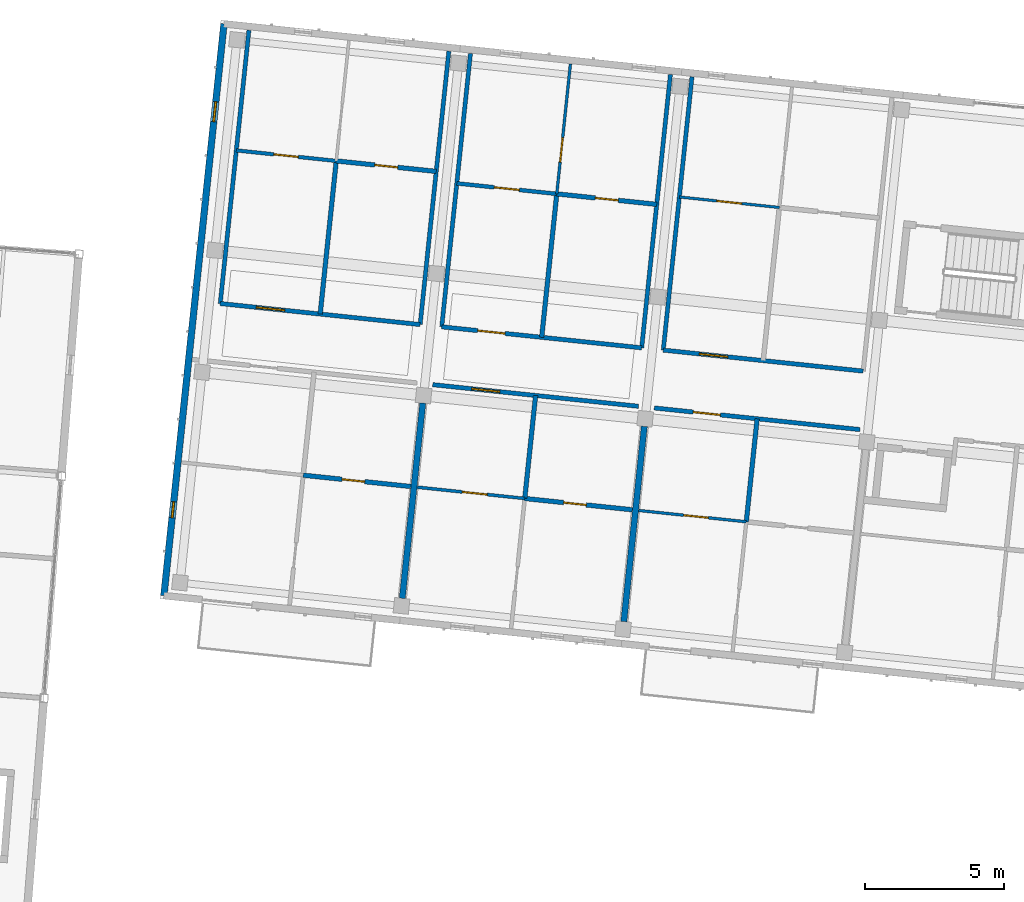
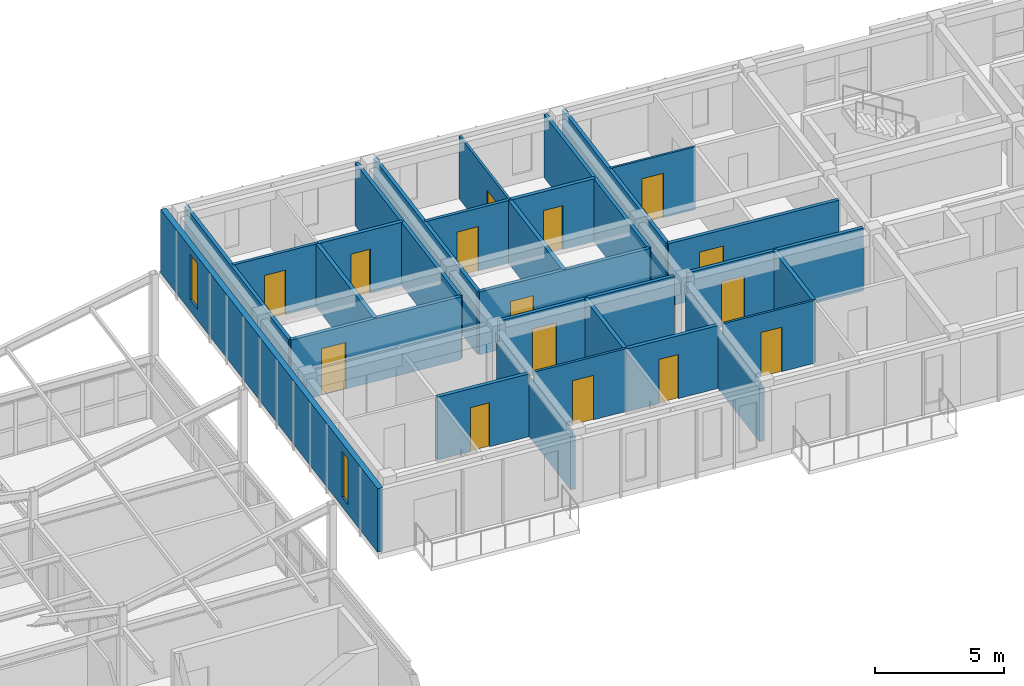
# One storey, part 86 of 127: 27 walls, 15 doors, 2 windows, 17 openings.
"""IFC4 building model written with IfcOpenShell, lengths in metres."""

import ifcopenshell
import ifcopenshell.guid

model = None  # the IFC model being written
_history = None  # IfcOwnerHistory: only IFC2X3 demands one
_inside = {}  # id of a spatial element -> (the spatial element, [elements in it])
_under = {}  # id of a project, library or spatial element -> (it, [spatial elements below it])
_declared = {}  # id of a project -> (the project, [libraries it declares])
_typed = {}  # id of a type object -> (the type object, [elements of that type])
_made_of = {}  # id of a material, layer set ... -> (it, [elements and type objects made of it])


def new_model(schema):
    """Start an empty IFC model of exactly this schema.

    Asked for "IFC4X3", IfcOpenShell would pick the latest addendum, in which some entities
    have other attributes; the version numbers below select the first issue.
    IFC2X3 requires an IfcOwnerHistory on every rooted entity: one is made here for all.
    """
    global model, _history
    if schema == "IFC4X3":
        model = ifcopenshell.file(schema_version=(4, 3, 0, 0))
    else:
        model = ifcopenshell.file(schema=schema)
    _inside.clear()
    _under.clear()
    _declared.clear()
    _typed.clear()
    _made_of.clear()
    _history = None
    if model.schema == "IFC2X3":
        org = make("IfcOrganization", Name="unknown")
        user = make(
            "IfcPersonAndOrganization",
            ThePerson=make("IfcPerson", FamilyName="unknown"),
            TheOrganization=org,
        )
        app = make(
            "IfcApplication",
            ApplicationDeveloper=org,
            Version="unknown",
            ApplicationFullName="unknown",
            ApplicationIdentifier="unknown",
        )
        _history = make(
            "IfcOwnerHistory",
            OwningUser=user,
            OwningApplication=app,
            ChangeAction="ADDED",
            CreationDate=0,
        )
    return model


def make(cls, **values):
    """One entity of the class cls with the attributes given. An attribute that is None is left unset."""
    return model.create_entity(
        cls, **{name: value for name, value in values.items() if value is not None}
    )


def rooted(cls, **values):
    """An entity with a GlobalId (a new one), such as an element, a storey or a relation."""
    return make(cls, GlobalId=ifcopenshell.guid.new(), OwnerHistory=_history, **values)


def si_unit(unit_type, name, prefix=None):
    """IfcSIUnit, for example si_unit("LENGTHUNIT", "METRE", prefix="MILLI")."""
    return make("IfcSIUnit", UnitType=unit_type, Prefix=prefix, Name=name)


def assignment(units):
    """IfcUnitAssignment: the units of a project."""
    return None if units is None else make("IfcUnitAssignment", Units=units)


def point(xyz):
    """IfcCartesianPoint."""
    return None if xyz is None else make("IfcCartesianPoint", Coordinates=xyz)


def direction(xyz):
    """IfcDirection."""
    return None if xyz is None else make("IfcDirection", DirectionRatios=xyz)


def frame(location, z_axis=None, x_axis=None):
    """IfcAxis2Placement3D, a coordinate frame: its origin and axes. An axis left out is left unset."""
    return make(
        "IfcAxis2Placement3D",
        Location=point(location),
        Axis=direction(z_axis),
        RefDirection=direction(x_axis),
    )


def frame_2d(location, x_axis=None):
    """IfcAxis2Placement2D, a coordinate frame in the plane: its origin and x axis."""
    return make(
        "IfcAxis2Placement2D", Location=point(location), RefDirection=direction(x_axis)
    )


def origin():
    """The frame at (0, 0, 0) with its axes left unset."""
    return frame((0.0, 0.0, 0.0))


def place(relative_to, where):
    """IfcLocalPlacement: puts the frame where relative to a parent placement (None: the world)."""
    return make(
        "IfcLocalPlacement", PlacementRelTo=relative_to, RelativePlacement=where
    )


def context(
    kind, dimensions, precision=None, world=None, true_north=None, identifier=None
):
    """IfcGeometricRepresentationContext, for example the 3D "Model" context."""
    return make(
        "IfcGeometricRepresentationContext",
        ContextIdentifier=identifier,
        ContextType=kind,
        CoordinateSpaceDimension=dimensions,
        Precision=precision,
        WorldCoordinateSystem=world,
        TrueNorth=true_north,
    )


def subcontext(parent, identifier, kind, view, scale=None):
    """IfcGeometricRepresentationSubContext, for example "Body" below "Model"."""
    return make(
        "IfcGeometricRepresentationSubContext",
        ContextIdentifier=identifier,
        ContextType=kind,
        ParentContext=parent,
        TargetScale=scale,
        TargetView=view,
    )


def project(units=None, contexts=None):
    """IfcProject with its units and contexts."""
    return rooted(
        "IfcProject",
        Name="project",
        RepresentationContexts=contexts,
        UnitsInContext=assignment(units),
    )


def spatial(cls, under=None, at=None, **own):
    """A site, building, storey or space (cls), placed at a placement, below another one or the project."""
    s = rooted(cls, ObjectPlacement=at, **own)
    if under is not None:
        _under.setdefault(under.id(), (under, []))[1].append(s)
    return s


def profile(cls, at=None, kind="AREA", **sizes):
    """A parametric profile (cls). Its sizes go by their IFC names, for example OverallWidth=200.0."""
    return make(cls, ProfileType=kind, Position=at, **sizes)


def rectangle(**sizes):
    """IfcRectangleProfileDef."""
    return profile("IfcRectangleProfileDef", **sizes)


def extrude(swept, where, along, depth):
    """IfcExtrudedAreaSolid: the profile swept, set in the frame where, extruded along a direction by depth."""
    return make(
        "IfcExtrudedAreaSolid",
        SweptArea=swept,
        Position=where,
        ExtrudedDirection=direction(along),
        Depth=depth,
    )


def shape(context_of_items, identifier, shape_type, items):
    """IfcShapeRepresentation: the items that make up one representation, for example the "Body"."""
    return make(
        "IfcShapeRepresentation",
        ContextOfItems=context_of_items,
        RepresentationIdentifier=identifier,
        RepresentationType=shape_type,
        Items=items,
    )


def material(Name=None, Category=None):
    """IfcMaterial."""
    return make("IfcMaterial", Name=Name, Category=Category)


def layer(
    of_material, thickness, ventilated=None, Name=None, Category=None, Priority=None
):
    """IfcMaterialLayer: one layer of a wall or slab, of a material (None: an air gap)."""
    return make(
        "IfcMaterialLayer",
        Material=of_material,
        LayerThickness=thickness,
        IsVentilated=ventilated,
        Name=Name,
        Category=Category,
        Priority=Priority,
    )


def layer_set(layers, Name=None):
    """IfcMaterialLayerSet."""
    return make("IfcMaterialLayerSet", MaterialLayers=layers, LayerSetName=Name)


def made_of(thing, what):
    """Note that an element or type object is made of a material, layer set ...; save() writes the relation."""
    if what is not None:
        _made_of.setdefault(what.id(), (what, []))[1].append(thing)
    return thing


def type_object(cls, material=None, **own):
    """A type object (cls), such as IfcWallType, which elements share."""
    return made_of(rooted(cls, **own), material)


def element(
    cls,
    number,
    at=None,
    inside=None,
    cuts=None,
    type_object=None,
    material=None,
    context=None,
    identifier="Body",
    shape_type=None,
    held_by="IfcProductDefinitionShape",
    body=None,
    shapes=None,
    **own,
):
    """One element of the class cls, such as IfcWall. Its Tag is "e" and its number.

    at: its placement. inside: the storey or other place that contains it. cuts: it is an
    opening in that element (IfcRelVoidsElement). A single representation is given by context,
    identifier, shape_type and body (its items); several are given by shapes. held_by: the class
    of the entity that holds the representations. save() writes the other relations.
    """
    e = rooted(cls, Tag="e%d" % number, ObjectPlacement=at, **own)
    if body is not None:
        shapes = [shape(context, identifier, shape_type, body)]
    if shapes is not None:
        e.Representation = make(held_by, Representations=shapes)
    if inside is not None:
        _inside.setdefault(inside.id(), (inside, []))[1].append(e)
    if cuts is not None:
        rooted(
            "IfcRelVoidsElement", RelatingBuildingElement=cuts, RelatedOpeningElement=e
        )
    if type_object is not None:
        _typed.setdefault(type_object.id(), (type_object, []))[1].append(e)
    return made_of(e, material)


def fill(opening, filler):
    """IfcRelFillsElement: the door or window that sits in an opening."""
    return rooted(
        "IfcRelFillsElement",
        RelatingOpeningElement=opening,
        RelatedBuildingElement=filler,
    )


def aggregate(whole, parts):
    """IfcRelAggregates: a whole, such as a stair, and the parts it consists of."""
    return rooted("IfcRelAggregates", RelatingObject=whole, RelatedObjects=parts)


def save(model, path):
    """Write the relations noted so far, then the file.

    IfcRelAggregates (storeys below a building ...), IfcRelContainedInSpatialStructure (elements
    in a storey), IfcRelDefinesByType, IfcRelAssociatesMaterial and IfcRelDeclares: one each for
    every whole, place, type object, material and project.
    """
    for whole, parts in _under.values():
        aggregate(whole, parts)
    for where, things in _inside.values():
        rooted(
            "IfcRelContainedInSpatialStructure",
            RelatedElements=things,
            RelatingStructure=where,
        )
    for kind, things in _typed.values():
        rooted("IfcRelDefinesByType", RelatedObjects=things, RelatingType=kind)
    for what, things in _made_of.values():
        rooted("IfcRelAssociatesMaterial", RelatedObjects=things, RelatingMaterial=what)
    for by, libraries in _declared.values():
        rooted("IfcRelDeclares", RelatingContext=by, RelatedDefinitions=libraries)
    model.write(path)


model = new_model("IFC4")

# Units and contexts
model_context = context("Model", 3, precision=1e-05, world=origin(), true_north=direction((0.0, 1.0)))
body_context = subcontext(model_context, "Body", "Model", "MODEL_VIEW")
ifc_project = project(units=[si_unit("LENGTHUNIT", "METRE"), si_unit("AREAUNIT", "SQUARE_METRE"), si_unit("VOLUMEUNIT", "CUBIC_METRE"), si_unit("PLANEANGLEUNIT", "RADIAN"), si_unit("MASSUNIT", "GRAM", prefix="KILO")], contexts=[model_context])

# Site, building, storey
site_placement = place(None, origin())
site = spatial("IfcSite", under=ifc_project, at=site_placement, CompositionType="ELEMENT")
building_placement = place(site_placement, origin())
building = spatial("IfcBuilding", under=site, at=building_placement, Name="Kestramere Prow Commons", CompositionType="ELEMENT")
storey_placement = place(building_placement, frame((0.0, 0.0, 8.39990234375)))
storey = spatial("IfcBuildingStorey", under=building, at=storey_placement, Name="L02", CompositionType="ELEMENT", Elevation=8.39990234375)

# Wall, openings, windows
ifc_material_1 = material(Name="Fluoropolymer Standing-Seam Zinc-Aluminium Cladding", Category="aluminium")
ifc_layer_1 = layer(ifc_material_1, 0.239990234375)
ifc_layer_set_1 = layer_set([ifc_layer_1], Name="Fluoropolymer Standing-Seam Zinc-Aluminium Cladding")
wall_type_1 = type_object("IfcWallType", Name="EW-SEAM-240", PredefinedType="SOLIDWALL", material=ifc_layer_set_1)
wall_1_placement = place(storey_placement, frame((109.423095703125, 94.332763671875, 0.0), z_axis=(0.0, 0.0, 1.0), x_axis=(0.1045253859, 0.994522218808, 0.0)))
wall_1 = element("IfcWall", 1, at=wall_1_placement, inside=storey, type_object=wall_type_1, Name="Block B L02 EAV Facet Wall", PredefinedType="SOLIDWALL", context=body_context, shape_type="SweptSolid", body=[
    extrude(rectangle(XDim=20.64990234375, YDim=0.239990234375, at=frame_2d((10.324951171875, 0.0))), origin(), (0.0, 0.0, 1.0), 3.0),
])
opening_1_placement = place(wall_1_placement, frame((2.81005859375, 0.0, 0.449951171875)))
opening_1 = element("IfcOpeningElement", 2, at=opening_1_placement, cuts=wall_1, Name="Opening WN-01", PredefinedType="OPENING", context=body_context, shape_type="SweptSolid", body=[
    extrude(rectangle(XDim=0.580078125, YDim=2.159912109375, at=frame_2d((0.2900390625, 1.080078125))), frame((0.0, 0.135009765625, 0.0), z_axis=(0.0, -1.0, 0.0), x_axis=(1.0, 0.0, 0.0)), (0.0, 0.0, 1.0), 0.27001953125),
])
opening_2_placement = place(wall_1_placement, frame((17.1201171875, 0.0, 0.52001953125)))
opening_2 = element("IfcOpeningElement", 3, at=opening_2_placement, cuts=wall_1, Name="Opening WN-08", PredefinedType="OPENING", context=body_context, shape_type="SweptSolid", body=[
    extrude(rectangle(XDim=0.719970703125, YDim=2.159912109375, at=frame_2d((0.35986328125, 1.080078125))), frame((0.0, 0.135009765625, 0.0), z_axis=(0.0, -1.0, 0.0), x_axis=(1.0, 0.0, 0.0)), (0.0, 0.0, 1.0), 0.27001953125),
])
ifc_material_2 = material(Name="Low-E Laminated Double Glazing", Category="glass")
window_type_1 = type_object("IfcWindowType", Name="WN-NAR-580A", PartitioningType="SINGLE_PANEL", PredefinedType="WINDOW", material=ifc_material_2)
window_1_placement = place(opening_1_placement, origin())
window_1 = element("IfcWindow", 4, at=window_1_placement, inside=storey, type_object=window_type_1, Name="WN-B-L02-EAV-0", OverallHeight=2.159912109375, OverallWidth=0.580078125, PartitioningType="SINGLE_PANEL", PredefinedType="WINDOW", context=body_context, shape_type="SweptSolid", body=[
    extrude(rectangle(XDim=0.580078125, YDim=2.159912109375, at=frame_2d((0.2900390625, 1.080078125))), frame((0.0, 0.030029296875, 0.0), z_axis=(0.0, -1.0, 0.0), x_axis=(1.0, 0.0, 0.0)), (0.0, 0.0, 1.0), 0.06005859375),
])
fill(opening_1, window_1)
window_type_2 = type_object("IfcWindowType", Name="WN-NAR-720A", PartitioningType="SINGLE_PANEL", PredefinedType="WINDOW", material=ifc_material_2)
window_2_placement = place(opening_2_placement, origin())
window_2 = element("IfcWindow", 5, at=window_2_placement, inside=storey, type_object=window_type_2, Name="WN-B-L02-EAV-1", OverallHeight=2.159912109375, OverallWidth=0.719970703125, PartitioningType="SINGLE_PANEL", PredefinedType="WINDOW", context=body_context, shape_type="SweptSolid", body=[
    extrude(rectangle(XDim=0.719970703125, YDim=2.159912109375, at=frame_2d((0.35986328125, 1.080078125))), frame((0.0, 0.030029296875, 0.0), z_axis=(0.0, -1.0, 0.0), x_axis=(1.0, 0.0, 0.0)), (0.0, 0.0, 1.0), 0.06005859375),
])
fill(opening_2, window_2)

# Wall, opening, door
ifc_material_3 = material(Name="Fire-Rated Calcium Silicate Wall")
ifc_layer_2 = layer(ifc_material_3, 0.155029296875)
ifc_layer_set_2 = layer_set([ifc_layer_2], Name="Fire-Rated Calcium Silicate Wall")
wall_type_2 = type_object("IfcWallType", Name="W-FIRE-150", PredefinedType="PARTITIONING", material=ifc_layer_set_2)
wall_2_placement = place(storey_placement, frame((119.077880859375, 101.91015625, 0.0), z_axis=(0.0, 0.0, 1.0), x_axis=(0.99451912784, -0.104554791185, 0.0)))
wall_2 = element("IfcWall", 6, at=wall_2_placement, inside=storey, type_object=wall_type_2, Name="Interior Partition PW-B-L02-CS-1", PredefinedType="PARTITIONING", context=body_context, shape_type="SweptSolid", body=[
    extrude(rectangle(XDim=7.43017578125, YDim=0.155029296875, at=frame_2d((3.715087890625, 0.0))), origin(), (0.0, 0.0, 1.0), 2.97021484375),
])
opening_3_placement = place(wall_2_placement, frame((1.405029296875, 0.0, 0.0)))
opening_3 = element("IfcOpeningElement", 7, at=opening_3_placement, cuts=wall_2, Name="Opening ID-05", PredefinedType="OPENING", context=body_context, shape_type="SweptSolid", body=[
    extrude(rectangle(XDim=1.02001953125, YDim=2.199951171875, at=frame_2d((0.510009765625, 1.10009765625))), frame((0.0, 0.092529296875, 0.0), z_axis=(0.0, -1.0, 0.0), x_axis=(1.0, 0.0, 0.0)), (0.0, 0.0, 1.0), 0.18505859375),
])
ifc_material_4 = material(Name="Hardwood Fire-Rated Flat Entrance Door", Category="wood")
door_type_1 = type_object("IfcDoorType", Name="FD-ENT-02", OperationType="NOTDEFINED", PredefinedType="DOOR", material=ifc_material_4)
door_1_placement = place(opening_3_placement, origin())
door_1 = element("IfcDoor", 8, at=door_1_placement, inside=storey, type_object=door_type_1, Name="Interior Door DR-B-L02-ENT-S1", OperationType="SINGLE_SWING_RIGHT", OverallHeight=2.199951171875, OverallWidth=1.02001953125, PredefinedType="DOOR", context=body_context, shape_type="SweptSolid", body=[
    extrude(rectangle(XDim=1.02001953125, YDim=2.199951171875, at=frame_2d((0.510009765625, 1.10009765625))), frame((0.0, 0.02490234375, 0.0), z_axis=(0.0, -1.0, 0.0), x_axis=(1.0, 0.0, 0.0)), (0.0, 0.0, 1.0), 0.050048828125),
])
fill(opening_3, door_1)

wall_3_placement = place(storey_placement, frame((127.0341796875, 101.07373046875, 0.0), z_axis=(0.0, 0.0, 1.0), x_axis=(0.994522184982, -0.104525707739, 0.0)))
wall_3 = element("IfcWall", 9, at=wall_3_placement, inside=storey, type_object=wall_type_2, Name="Interior Partition PW-B-L02-CS-2", PredefinedType="PARTITIONING", context=body_context, shape_type="SweptSolid", body=[
    extrude(rectangle(XDim=7.429931640625, YDim=0.155029296875, at=frame_2d((3.71484375, 0.0))), origin(), (0.0, 0.0, 1.0), 2.97021484375),
])
opening_4_placement = place(wall_3_placement, frame((1.405029296875, 0.0, 0.0)))
opening_4 = element("IfcOpeningElement", 10, at=opening_4_placement, cuts=wall_3, Name="Opening ID-04", PredefinedType="OPENING", context=body_context, shape_type="SweptSolid", body=[
    extrude(rectangle(XDim=0.97998046875, YDim=2.14990234375, at=frame_2d((0.489990234375, 1.074951171875))), frame((0.0, 0.092529296875, 0.0), z_axis=(0.0, -1.0, 0.0), x_axis=(1.0, 0.0, 0.0)), (0.0, 0.0, 1.0), 0.18505859375),
])
door_type_2 = type_object("IfcDoorType", Name="FD-ENT-01", OperationType="NOTDEFINED", PredefinedType="DOOR", material=ifc_material_4)
door_2_placement = place(opening_4_placement, origin())
door_2 = element("IfcDoor", 11, at=door_2_placement, inside=storey, type_object=door_type_2, Name="Interior Door DR-B-L02-ENT-S2", OperationType="SINGLE_SWING_LEFT", OverallHeight=2.14990234375, OverallWidth=0.97998046875, PredefinedType="DOOR", context=body_context, shape_type="SweptSolid", body=[
    extrude(rectangle(XDim=0.97998046875, YDim=2.14990234375, at=frame_2d((0.489990234375, 1.074951171875))), frame((0.0, 0.02490234375, 0.0), z_axis=(0.0, -1.0, 0.0), x_axis=(1.0, 0.0, 0.0)), (0.0, 0.0, 1.0), 0.050048828125),
])
fill(opening_4, door_2)

wall_4_placement = place(storey_placement, frame((111.44580078125, 104.82373046875, 0.0), z_axis=(0.0, 0.0, 1.0), x_axis=(0.994522671024, -0.104521083137, 0.0)))
wall_4 = element("IfcWall", 12, at=wall_4_placement, inside=storey, type_object=wall_type_2, Name="Interior Partition PW-B-L02-CN-0", PredefinedType="PARTITIONING", context=body_context, shape_type="SweptSolid", body=[
    extrude(rectangle(XDim=7.219970703125, YDim=0.155029296875, at=frame_2d((3.60986328125, 0.0))), origin(), (0.0, 0.0, 1.0), 2.97021484375),
])
opening_5_placement = place(wall_4_placement, frame((1.304931640625, 0.0, 0.0)))
opening_5 = element("IfcOpeningElement", 13, at=opening_5_placement, cuts=wall_4, Name="Opening ID-05", PredefinedType="OPENING", context=body_context, shape_type="SweptSolid", body=[
    extrude(rectangle(XDim=1.02001953125, YDim=2.199951171875, at=frame_2d((0.510009765625, 1.10009765625))), frame((0.0, 0.092529296875, 0.0), z_axis=(0.0, -1.0, 0.0), x_axis=(1.0, 0.0, 0.0)), (0.0, 0.0, 1.0), 0.18505859375),
])
door_3_placement = place(opening_5_placement, origin())
door_3 = element("IfcDoor", 14, at=door_3_placement, inside=storey, type_object=door_type_1, Name="Interior Door DR-B-L02-ENT-N0", OperationType="SINGLE_SWING_RIGHT", OverallHeight=2.199951171875, OverallWidth=1.02001953125, PredefinedType="DOOR", context=body_context, shape_type="SweptSolid", body=[
    extrude(rectangle(XDim=1.02001953125, YDim=2.199951171875, at=frame_2d((0.510009765625, 1.10009765625))), frame((0.0, 0.02490234375, 0.0), z_axis=(0.0, -1.0, 0.0), x_axis=(1.0, 0.0, 0.0)), (0.0, 0.0, 1.0), 0.050048828125),
])
fill(opening_5, door_3)

wall_5_placement = place(storey_placement, frame((119.40185546875, 103.987548828125, 0.0), z_axis=(0.0, 0.0, 1.0), x_axis=(0.994522671024, -0.104521083137, 0.0)))
wall_5 = element("IfcWall", 15, at=wall_5_placement, inside=storey, type_object=wall_type_2, Name="Interior Partition PW-B-L02-CN-1", PredefinedType="PARTITIONING", context=body_context, shape_type="SweptSolid", body=[
    extrude(rectangle(XDim=7.219970703125, YDim=0.155029296875, at=frame_2d((3.60986328125, 0.0))), origin(), (0.0, 0.0, 1.0), 2.97021484375),
])
opening_6_placement = place(wall_5_placement, frame((1.304931640625, 0.0, 0.0)))
opening_6 = element("IfcOpeningElement", 16, at=opening_6_placement, cuts=wall_5, Name="Opening ID-04", PredefinedType="OPENING", context=body_context, shape_type="SweptSolid", body=[
    extrude(rectangle(XDim=0.97998046875, YDim=2.14990234375, at=frame_2d((0.489990234375, 1.074951171875))), frame((0.0, 0.092529296875, 0.0), z_axis=(0.0, -1.0, 0.0), x_axis=(1.0, 0.0, 0.0)), (0.0, 0.0, 1.0), 0.18505859375),
])
door_4_placement = place(opening_6_placement, origin())
door_4 = element("IfcDoor", 17, at=door_4_placement, inside=storey, type_object=door_type_2, Name="Interior Door DR-B-L02-ENT-N1", OperationType="SINGLE_SWING_LEFT", OverallHeight=2.14990234375, OverallWidth=0.97998046875, PredefinedType="DOOR", context=body_context, shape_type="SweptSolid", body=[
    extrude(rectangle(XDim=0.97998046875, YDim=2.14990234375, at=frame_2d((0.489990234375, 1.074951171875))), frame((0.0, 0.02490234375, 0.0), z_axis=(0.0, -1.0, 0.0), x_axis=(1.0, 0.0, 0.0)), (0.0, 0.0, 1.0), 0.050048828125),
])
fill(opening_6, door_4)

wall_6_placement = place(storey_placement, frame((127.358154296875, 103.1513671875, 0.0), z_axis=(0.0, 0.0, 1.0), x_axis=(0.994522671024, -0.104521083137, 0.0)))
wall_6 = element("IfcWall", 18, at=wall_6_placement, inside=storey, type_object=wall_type_2, Name="Interior Partition PW-B-L02-CN-2", PredefinedType="PARTITIONING", context=body_context, shape_type="SweptSolid", body=[
    extrude(rectangle(XDim=7.219970703125, YDim=0.155029296875, at=frame_2d((3.60986328125, 0.0))), origin(), (0.0, 0.0, 1.0), 2.97021484375),
])
opening_7_placement = place(wall_6_placement, frame((1.304931640625, 0.0, 0.0)))
opening_7 = element("IfcOpeningElement", 19, at=opening_7_placement, cuts=wall_6, Name="Opening ID-05", PredefinedType="OPENING", context=body_context, shape_type="SweptSolid", body=[
    extrude(rectangle(XDim=1.02001953125, YDim=2.199951171875, at=frame_2d((0.510009765625, 1.10009765625))), frame((0.0, 0.092529296875, 0.0), z_axis=(0.0, -1.0, 0.0), x_axis=(1.0, 0.0, 0.0)), (0.0, 0.0, 1.0), 0.18505859375),
])
door_5_placement = place(opening_7_placement, origin())
door_5 = element("IfcDoor", 20, at=door_5_placement, inside=storey, type_object=door_type_1, Name="Interior Door DR-B-L02-ENT-N2", OperationType="SINGLE_SWING_RIGHT", OverallHeight=2.199951171875, OverallWidth=1.02001953125, PredefinedType="DOOR", context=body_context, shape_type="SweptSolid", body=[
    extrude(rectangle(XDim=1.02001953125, YDim=2.199951171875, at=frame_2d((0.510009765625, 1.10009765625))), frame((0.0, 0.02490234375, 0.0), z_axis=(0.0, -1.0, 0.0), x_axis=(1.0, 0.0, 0.0)), (0.0, 0.0, 1.0), 0.050048828125),
])
fill(opening_7, door_5)

ifc_material_5 = material(Name="Gypsum Acoustic Drywall")
ifc_layer_3 = layer(ifc_material_5, 0.10009765625)
ifc_layer_set_3 = layer_set([ifc_layer_3], Name="Gypsum Acoustic Drywall")
wall_type_3 = type_object("IfcWallType", Name="W-PART-100", PredefinedType="PARTITIONING", material=ifc_layer_set_3)
wall_7_placement = place(storey_placement, frame((126.47607421875, 97.39208984375, 0.0), z_axis=(0.0, 0.0, 1.0), x_axis=(0.994517841934, -0.104567021925, 0.0)))
wall_7 = element("IfcWall", 21, at=wall_7_placement, inside=storey, type_object=wall_type_3, Name="Interior Partition PW-B-L02-MIDS1-2", PredefinedType="PARTITIONING", context=body_context, shape_type="SweptSolid", body=[
    extrude(rectangle(XDim=3.885009765625, YDim=0.10009765625, at=frame_2d((1.9423828125, 0.0))), origin(), (0.0, 0.0, 1.0), 2.97021484375),
])
opening_8_placement = place(wall_7_placement, frame((1.625, 0.0, 0.0)))
opening_8 = element("IfcOpeningElement", 22, at=opening_8_placement, cuts=wall_7, Name="Opening ID-10", PredefinedType="OPENING", context=body_context, shape_type="SweptSolid", body=[
    extrude(rectangle(XDim=0.8798828125, YDim=2.10009765625, at=frame_2d((0.43994140625, 1.050048828125))), frame((0.0, 0.06494140625, 0.0), z_axis=(0.0, -1.0, 0.0), x_axis=(1.0, 0.0, 0.0)), (0.0, 0.0, 1.0), 0.130126953125),
])
ifc_material_6 = material(Name="Engineered Timber Bedroom Door", Category="wood")
door_type_3 = type_object("IfcDoorType", Name="D-RM-03", OperationType="NOTDEFINED", PredefinedType="DOOR", material=ifc_material_6)
door_6_placement = place(opening_8_placement, origin())
door_6 = element("IfcDoor", 23, at=door_6_placement, inside=storey, type_object=door_type_3, Name="Interior Door DR-B-L02-KL-S2", OperationType="SINGLE_SWING_RIGHT", OverallHeight=2.10009765625, OverallWidth=0.8798828125, PredefinedType="DOOR", context=body_context, shape_type="SweptSolid", body=[
    extrude(rectangle(XDim=0.8798828125, YDim=2.10009765625, at=frame_2d((0.43994140625, 1.050048828125))), frame((0.0, 0.02490234375, 0.0), z_axis=(0.0, -1.0, 0.0), x_axis=(1.0, 0.0, 0.0)), (0.0, 0.0, 1.0), 0.050048828125),
])
fill(opening_8, door_6)

wall_8_placement = place(storey_placement, frame((123.533447265625, 108.761962890625, 0.0), z_axis=(0.0, 0.0, 1.0), x_axis=(0.104527618124, 0.994521984196, 0.0)))
wall_8 = element("IfcWall", 24, at=wall_8_placement, inside=storey, type_object=wall_type_3, Name="Interior Partition PW-B-L02-LB-N1", PredefinedType="PARTITIONING", context=body_context, shape_type="SweptSolid", body=[
    extrude(rectangle(XDim=4.68994140625, YDim=0.10009765625, at=frame_2d((2.344970703125, 0.0))), origin(), (0.0, 0.0, 1.0), 2.97021484375),
])
opening_9_placement = place(wall_8_placement, frame((1.14990234375, 0.0, 0.0)))
opening_9 = element("IfcOpeningElement", 25, at=opening_9_placement, cuts=wall_8, Name="Opening ID-10", PredefinedType="OPENING", context=body_context, shape_type="SweptSolid", body=[
    extrude(rectangle(XDim=0.8798828125, YDim=2.10009765625, at=frame_2d((0.43994140625, 1.050048828125))), frame((0.0, 0.06494140625, 0.0), z_axis=(0.0, -1.0, 0.0), x_axis=(1.0, 0.0, 0.0)), (0.0, 0.0, 1.0), 0.130126953125),
])
door_7_placement = place(opening_9_placement, origin())
door_7 = element("IfcDoor", 26, at=door_7_placement, inside=storey, type_object=door_type_3, Name="Interior Door DR-B-L02-BED-N1", OperationType="SINGLE_SWING_LEFT", OverallHeight=2.10009765625, OverallWidth=0.8798828125, PredefinedType="DOOR", context=body_context, shape_type="SweptSolid", body=[
    extrude(rectangle(XDim=0.8798828125, YDim=2.10009765625, at=frame_2d((0.43994140625, 1.050048828125))), frame((0.0, 0.02490234375, 0.0), z_axis=(0.0, -1.0, 0.0), x_axis=(1.0, 0.0, 0.0)), (0.0, 0.0, 1.0), 0.050048828125),
])
fill(opening_9, door_7)

ifc_layer_4 = layer(ifc_material_5, 0.110107421875)
ifc_layer_set_4 = layer_set([ifc_layer_4], Name="Gypsum Acoustic Drywall")
wall_type_4 = type_object("IfcWallType", Name="W-PART-110", PredefinedType="PARTITIONING", material=ifc_layer_set_4)
wall_9_placement = place(storey_placement, frame((118.52001953125, 98.228271484375, 0.0), z_axis=(0.0, 0.0, 1.0), x_axis=(0.994517841934, -0.104567021925, 0.0)))
wall_9 = element("IfcWall", 27, at=wall_9_placement, inside=storey, type_object=wall_type_4, Name="Interior Partition PW-B-L02-MIDS1-1", PredefinedType="PARTITIONING", context=body_context, shape_type="SweptSolid", body=[
    extrude(rectangle(XDim=3.885009765625, YDim=0.110107421875, at=frame_2d((1.9423828125, 0.0))), origin(), (0.0, 0.0, 1.0), 2.97021484375),
])
opening_10_placement = place(wall_9_placement, frame((1.625, 0.0, 0.0)))
opening_10 = element("IfcOpeningElement", 28, at=opening_10_placement, cuts=wall_9, Name="Opening ID-08", PredefinedType="OPENING", context=body_context, shape_type="SweptSolid", body=[
    extrude(rectangle(XDim=0.89990234375, YDim=2.10009765625, at=frame_2d((0.449951171875, 1.050048828125))), frame((0.0, 0.070068359375, 0.0), z_axis=(0.0, -1.0, 0.0), x_axis=(1.0, 0.0, 0.0)), (0.0, 0.0, 1.0), 0.14013671875),
])
ifc_material_7 = material(Name="Engineered Timber Flush Door", Category="wood")
door_type_4 = type_object("IfcDoorType", Name="D-RM-01", OperationType="NOTDEFINED", PredefinedType="DOOR", material=ifc_material_7)
door_8_placement = place(opening_10_placement, origin())
door_8 = element("IfcDoor", 29, at=door_8_placement, inside=storey, type_object=door_type_4, Name="Interior Door DR-B-L02-KL-S1", OperationType="SINGLE_SWING_RIGHT", OverallHeight=2.10009765625, OverallWidth=0.89990234375, PredefinedType="DOOR", context=body_context, shape_type="SweptSolid", body=[
    extrude(rectangle(XDim=0.89990234375, YDim=2.10009765625, at=frame_2d((0.449951171875, 1.050048828125))), frame((0.0, 0.02490234375, 0.0), z_axis=(0.0, -1.0, 0.0), x_axis=(1.0, 0.0, 0.0)), (0.0, 0.0, 1.0), 0.050048828125),
])
fill(opening_10, door_8)

ifc_material_8 = material(Name="Lightweight Blockwork and Plaster", Category="masonry")
ifc_layer_5 = layer(ifc_material_8, 0.1298828125)
ifc_layer_set_5 = layer_set([ifc_layer_5], Name="Lightweight Blockwork and Plaster")
wall_type_5 = type_object("IfcWallType", Name="W-PART-130", PredefinedType="PARTITIONING", material=ifc_layer_set_5)
wall_10_placement = place(storey_placement, frame((112.023681640625, 110.323486328125, 0.0), z_axis=(0.0, 0.0, 1.0), x_axis=(0.994519525119, -0.104551012229, 0.0)))
wall_10 = element("IfcWall", 30, at=wall_10_placement, inside=storey, type_object=wall_type_5, Name="Interior Partition PW-B-L02-MIDN1-0", PredefinedType="PARTITIONING", context=body_context, shape_type="SweptSolid", body=[
    extrude(rectangle(XDim=3.610107421875, YDim=0.1298828125, at=frame_2d((1.80517578125, 0.0))), origin(), (0.0, 0.0, 1.0), 2.97021484375),
])
opening_11_placement = place(wall_10_placement, frame((1.35498046875, 0.0, 0.0)))
opening_11 = element("IfcOpeningElement", 31, at=opening_11_placement, cuts=wall_10, Name="Opening ID-10", PredefinedType="OPENING", context=body_context, shape_type="SweptSolid", body=[
    extrude(rectangle(XDim=0.8798828125, YDim=2.10009765625, at=frame_2d((0.43994140625, 1.050048828125))), frame((0.0, 0.079833984375, 0.0), z_axis=(0.0, -1.0, 0.0), x_axis=(1.0, 0.0, 0.0)), (0.0, 0.0, 1.0), 0.159912109375),
])
door_9_placement = place(opening_11_placement, origin())
door_9 = element("IfcDoor", 32, at=door_9_placement, inside=storey, type_object=door_type_3, Name="Interior Door DR-B-L02-KL-N0", OperationType="SINGLE_SWING_LEFT", OverallHeight=2.10009765625, OverallWidth=0.8798828125, PredefinedType="DOOR", context=body_context, shape_type="SweptSolid", body=[
    extrude(rectangle(XDim=0.8798828125, YDim=2.10009765625, at=frame_2d((0.43994140625, 1.050048828125))), frame((0.0, 0.02490234375, 0.0), z_axis=(0.0, -1.0, 0.0), x_axis=(1.0, 0.0, 0.0)), (0.0, 0.0, 1.0), 0.050048828125),
])
fill(opening_11, door_9)

ifc_material_9 = material(Name="Masonry Compartment Wall", Category="masonry")
ifc_layer_6 = layer(ifc_material_9, 0.139892578125)
ifc_layer_set_6 = layer_set([ifc_layer_6], Name="Masonry Compartment Wall")
wall_type_6 = type_object("IfcWallType", Name="W-PART-140", PredefinedType="PARTITIONING", material=ifc_layer_set_6)
wall_11_placement = place(storey_placement, frame((119.943359375, 109.13916015625, 0.0), z_axis=(0.0, 0.0, 1.0), x_axis=(0.994525816262, -0.104491151726, 0.0)))
wall_11 = element("IfcWall", 33, at=wall_11_placement, inside=storey, type_object=wall_type_6, Name="Interior Partition PW-B-L02-MIDN1-1", PredefinedType="PARTITIONING", context=body_context, shape_type="SweptSolid", body=[
    extrude(rectangle(XDim=3.60986328125, YDim=0.139892578125, at=frame_2d((1.804931640625, 0.0))), origin(), (0.0, 0.0, 1.0), 2.97021484375),
])
opening_12_placement = place(wall_11_placement, frame((1.35498046875, 0.0, 0.0)))
opening_12 = element("IfcOpeningElement", 34, at=opening_12_placement, cuts=wall_11, Name="Opening ID-08", PredefinedType="OPENING", context=body_context, shape_type="SweptSolid", body=[
    extrude(rectangle(XDim=0.89990234375, YDim=2.10009765625, at=frame_2d((0.449951171875, 1.050048828125))), frame((0.0, 0.0849609375, 0.0), z_axis=(0.0, -1.0, 0.0), x_axis=(1.0, 0.0, 0.0)), (0.0, 0.0, 1.0), 0.169921875),
])
door_10_placement = place(opening_12_placement, origin())
door_10 = element("IfcDoor", 35, at=door_10_placement, inside=storey, type_object=door_type_4, Name="Interior Door DR-B-L02-KL-N1", OperationType="SINGLE_SWING_LEFT", OverallHeight=2.10009765625, OverallWidth=0.89990234375, PredefinedType="DOOR", context=body_context, shape_type="SweptSolid", body=[
    extrude(rectangle(XDim=0.89990234375, YDim=2.10009765625, at=frame_2d((0.449951171875, 1.050048828125))), frame((0.0, 0.02490234375, 0.0), z_axis=(0.0, -1.0, 0.0), x_axis=(1.0, 0.0, 0.0)), (0.0, 0.0, 1.0), 0.050048828125),
])
fill(opening_12, door_10)

# Walls
ifc_layer_7 = layer(ifc_material_9, 0.14990234375)
ifc_layer_set_7 = layer_set([ifc_layer_7], Name="Masonry Compartment Wall")
wall_type_7 = type_object("IfcWallType", Name="W-PART-150", PredefinedType="PARTITIONING", material=ifc_layer_set_7)
for number, where, z_axis, x_axis, name in (
    (36, (111.44580078125, 104.82373046875, 0.0), (0.0, 0.0, 1.0), (0.104508379977, 0.994524006002, 0.0), "Interior Partition PW-B-L02-NWL-0"),
    (37, (118.626220703125, 104.069091796875, 0.0), (0.0, 0.0, 1.0), (0.104508379977, 0.994524006002, 0.0), "Interior Partition PW-B-L02-NWR-0"),
    (38, (119.40185546875, 103.987548828125, 0.0), (0.0, 0.0, 1.0), (0.10453284543, 0.994521434775, 0.0), "Interior Partition PW-B-L02-NWL-1"),
    (39, (126.582275390625, 103.23291015625, 0.0), (0.0, 0.0, 1.0), (0.10453284543, 0.994521434775, 0.0), "Interior Partition PW-B-L02-NWR-1"),
    (40, (127.358154296875, 103.1513671875, 0.0), (0.0, 0.0, 1.0), (0.104508379977, 0.994524006002, 0.0), "Interior Partition PW-B-L02-NWL-2"),
):
    element("IfcWall", number, at=place(storey_placement, frame(where, z_axis=z_axis, x_axis=x_axis)), inside=storey, type_object=wall_type_7, Name=name, PredefinedType="PARTITIONING", context=body_context, shape_type="SweptSolid", body=[
        extrude(rectangle(XDim=9.869873046875, YDim=0.14990234375, at=frame_2d((4.93505859375, 0.0))), origin(), (0.0, 0.0, 1.0), 2.97021484375),
    ])

# Wall, opening, door
ifc_layer_8 = layer(ifc_material_5, 0.094970703125)
ifc_layer_set_8 = layer_set([ifc_layer_8], Name="Gypsum Acoustic Drywall")
wall_type_8 = type_object("IfcWallType", Name="W-PART-95", PredefinedType="PARTITIONING", material=ifc_layer_set_8)
wall_12_placement = place(storey_placement, frame((127.93603515625, 108.651123046875, 0.0), z_axis=(0.0, 0.0, 1.0), x_axis=(0.994519525119, -0.104551012229, 0.0)))
wall_12 = element("IfcWall", 41, at=wall_12_placement, inside=storey, type_object=wall_type_8, Name="Interior Partition PW-B-L02-MIDN1-2", PredefinedType="PARTITIONING", context=body_context, shape_type="SweptSolid", body=[
    extrude(rectangle(XDim=3.610107421875, YDim=0.094970703125, at=frame_2d((1.80517578125, 0.0))), origin(), (0.0, 0.0, 1.0), 2.97021484375),
])
opening_13_placement = place(wall_12_placement, frame((1.35498046875, 0.0, 0.0)))
opening_13 = element("IfcOpeningElement", 42, at=opening_13_placement, cuts=wall_12, Name="Opening ID-08", PredefinedType="OPENING", context=body_context, shape_type="SweptSolid", body=[
    extrude(rectangle(XDim=0.89990234375, YDim=2.10009765625, at=frame_2d((0.449951171875, 1.050048828125))), frame((0.0, 0.0625, 0.0), z_axis=(0.0, -1.0, 0.0), x_axis=(1.0, 0.0, 0.0)), (0.0, 0.0, 1.0), 0.125),
])
door_11_placement = place(opening_13_placement, origin())
door_11 = element("IfcDoor", 43, at=door_11_placement, inside=storey, type_object=door_type_4, Name="Interior Door DR-B-L02-KL-N2", OperationType="SINGLE_SWING_LEFT", OverallHeight=2.10009765625, OverallWidth=0.89990234375, PredefinedType="DOOR", context=body_context, shape_type="SweptSolid", body=[
    extrude(rectangle(XDim=0.89990234375, YDim=2.10009765625, at=frame_2d((0.449951171875, 1.050048828125))), frame((0.0, 0.02490234375, 0.0), z_axis=(0.0, -1.0, 0.0), x_axis=(1.0, 0.0, 0.0)), (0.0, 0.0, 1.0), 0.050048828125),
])
fill(opening_13, door_11)

ifc_material_10 = material(Name="Waterproof Sanitary Masonry Wall", Category="masonry")
ifc_layer_9 = layer(ifc_material_10, 0.1650390625)
ifc_layer_set_9 = layer_set([ifc_layer_9], Name="Waterproof Sanitary Masonry Wall")
wall_type_9 = type_object("IfcWallType", Name="W-PLUMB-150", PredefinedType="PLUMBINGWALL", material=ifc_layer_set_9)
wall_13_placement = place(storey_placement, frame((114.427490234375, 98.658447265625, 0.0), z_axis=(0.0, 0.0, 1.0), x_axis=(0.994517841934, -0.104567021925, 0.0)))
wall_13 = element("IfcWall", 44, at=wall_13_placement, inside=storey, type_object=wall_type_9, Name="Interior Partition PW-B-L02-MIDS2-0", PredefinedType="PLUMBINGWALL", context=body_context, shape_type="SweptSolid", body=[
    extrude(rectangle(XDim=3.885009765625, YDim=0.1650390625, at=frame_2d((1.9423828125, 0.0))), origin(), (0.0, 0.0, 1.0), 2.97021484375),
])
opening_14_placement = place(wall_13_placement, frame((1.39990234375, 0.0, 0.0)))
opening_14 = element("IfcOpeningElement", 45, at=opening_14_placement, cuts=wall_13, Name="Opening ID-11", PredefinedType="OPENING", context=body_context, shape_type="SweptSolid", body=[
    extrude(rectangle(XDim=0.820068359375, YDim=2.080078125, at=frame_2d((0.41015625, 1.0400390625))), frame((0.0, 0.097412109375, 0.0), z_axis=(0.0, -1.0, 0.0), x_axis=(1.0, 0.0, 0.0)), (0.0, 0.0, 1.0), 0.195068359375),
])
ifc_material_11 = material(Name="Moisture-Resistant Timber Bathroom Door", Category="wood")
door_type_5 = type_object("IfcDoorType", Name="D-BT-01", OperationType="NOTDEFINED", PredefinedType="DOOR", material=ifc_material_11)
door_12_placement = place(opening_14_placement, origin())
door_12 = element("IfcDoor", 46, at=door_12_placement, inside=storey, type_object=door_type_5, Name="Interior Door DR-B-L02-BTH-S0", OperationType="SINGLE_SWING_LEFT", OverallHeight=2.080078125, OverallWidth=0.820068359375, PredefinedType="DOOR", context=body_context, shape_type="SweptSolid", body=[
    extrude(rectangle(XDim=0.820068359375, YDim=2.080078125, at=frame_2d((0.41015625, 1.0400390625))), frame((0.0, 0.02490234375, 0.0), z_axis=(0.0, -1.0, 0.0), x_axis=(1.0, 0.0, 0.0)), (0.0, 0.0, 1.0), 0.050048828125),
])
fill(opening_14, door_12)

wall_14_placement = place(storey_placement, frame((122.3837890625, 97.822021484375, 0.0), z_axis=(0.0, 0.0, 1.0), x_axis=(0.994524375082, -0.104504867671, 0.0)))
wall_14 = element("IfcWall", 47, at=wall_14_placement, inside=storey, type_object=wall_type_9, Name="Interior Partition PW-B-L02-MIDS2-1", PredefinedType="PLUMBINGWALL", context=body_context, shape_type="SweptSolid", body=[
    extrude(rectangle(XDim=3.885009765625, YDim=0.1650390625, at=frame_2d((1.9423828125, 0.0))), origin(), (0.0, 0.0, 1.0), 2.97021484375),
])
opening_15_placement = place(wall_14_placement, frame((1.39990234375, 0.0, 0.0)))
opening_15 = element("IfcOpeningElement", 48, at=opening_15_placement, cuts=wall_14, Name="Opening ID-11", PredefinedType="OPENING", context=body_context, shape_type="SweptSolid", body=[
    extrude(rectangle(XDim=0.820068359375, YDim=2.080078125, at=frame_2d((0.41015625, 1.0400390625))), frame((0.0, 0.097412109375, 0.0), z_axis=(0.0, -1.0, 0.0), x_axis=(1.0, 0.0, 0.0)), (0.0, 0.0, 1.0), 0.195068359375),
])
door_13_placement = place(opening_15_placement, origin())
door_13 = element("IfcDoor", 49, at=door_13_placement, inside=storey, type_object=door_type_5, Name="Interior Door DR-B-L02-BTH-S1", OperationType="SINGLE_SWING_LEFT", OverallHeight=2.080078125, OverallWidth=0.820068359375, PredefinedType="DOOR", context=body_context, shape_type="SweptSolid", body=[
    extrude(rectangle(XDim=0.820068359375, YDim=2.080078125, at=frame_2d((0.41015625, 1.0400390625))), frame((0.0, 0.02490234375, 0.0), z_axis=(0.0, -1.0, 0.0), x_axis=(1.0, 0.0, 0.0)), (0.0, 0.0, 1.0), 0.050048828125),
])
fill(opening_15, door_13)

# Walls
for number, where, z_axis, x_axis, name in (
    (50, (122.3837890625, 97.822021484375, 0.0), (0.0, 0.0, 1.0), (0.10447980711, 0.994527008133, 0.0), "Interior Partition PW-B-L02-KB-S1"),
    (51, (130.33984375, 96.98583984375, 0.0), (0.0, 0.0, 1.0), (0.104544718065, 0.994520186786, 0.0), "Interior Partition PW-B-L02-KB-S2"),
):
    element("IfcWall", number, at=place(storey_placement, frame(where, z_axis=z_axis, x_axis=x_axis)), inside=storey, type_object=wall_type_9, Name=name, PredefinedType="PLUMBINGWALL", context=body_context, shape_type="SweptSolid", body=[
        extrude(rectangle(XDim=3.719970703125, YDim=0.1650390625, at=frame_2d((1.85986328125, 0.0))), origin(), (0.0, 0.0, 1.0), 2.97021484375),
    ])

# Wall, opening, door
wall_15_placement = place(storey_placement, frame((115.614013671875, 109.946044921875, 0.0), z_axis=(0.0, 0.0, 1.0), x_axis=(0.994525816262, -0.104491151726, 0.0)))
wall_15 = element("IfcWall", 52, at=wall_15_placement, inside=storey, type_object=wall_type_9, Name="Interior Partition PW-B-L02-MIDN2-0", PredefinedType="PLUMBINGWALL", context=body_context, shape_type="SweptSolid", body=[
    extrude(rectangle(XDim=3.60986328125, YDim=0.1650390625, at=frame_2d((1.804931640625, 0.0))), origin(), (0.0, 0.0, 1.0), 2.97021484375),
])
opening_16_placement = place(wall_15_placement, frame((1.39501953125, 0.0, 0.0)))
opening_16 = element("IfcOpeningElement", 53, at=opening_16_placement, cuts=wall_15, Name="Opening ID-11", PredefinedType="OPENING", context=body_context, shape_type="SweptSolid", body=[
    extrude(rectangle(XDim=0.820068359375, YDim=2.080078125, at=frame_2d((0.41015625, 1.0400390625))), frame((0.0, 0.097412109375, 0.0), z_axis=(0.0, -1.0, 0.0), x_axis=(1.0, 0.0, 0.0)), (0.0, 0.0, 1.0), 0.195068359375),
])
door_14_placement = place(opening_16_placement, origin())
door_14 = element("IfcDoor", 54, at=door_14_placement, inside=storey, type_object=door_type_5, Name="Interior Door DR-B-L02-BTH-N0", OperationType="SINGLE_SWING_RIGHT", OverallHeight=2.080078125, OverallWidth=0.820068359375, PredefinedType="DOOR", context=body_context, shape_type="SweptSolid", body=[
    extrude(rectangle(XDim=0.820068359375, YDim=2.080078125, at=frame_2d((0.41015625, 1.0400390625))), frame((0.0, 0.02490234375, 0.0), z_axis=(0.0, -1.0, 0.0), x_axis=(1.0, 0.0, 0.0)), (0.0, 0.0, 1.0), 0.050048828125),
])
fill(opening_16, door_14)

# Wall
wall_16_placement = place(storey_placement, frame((115.035888671875, 104.446533203125, 0.0), z_axis=(0.0, 0.0, 1.0), x_axis=(0.104546890769, 0.994519958387, 0.0)))
element("IfcWall", 55, at=wall_16_placement, inside=storey, type_object=wall_type_9, Name="Interior Partition PW-B-L02-KB-N0", PredefinedType="PLUMBINGWALL", context=body_context, shape_type="SweptSolid", body=[
    extrude(rectangle(XDim=5.52978515625, YDim=0.1650390625, at=frame_2d((2.764892578125, 0.0))), origin(), (0.0, 0.0, 1.0), 2.97021484375),
])

# Wall, opening, door
wall_17_placement = place(storey_placement, frame((123.533447265625, 108.761962890625, 0.0), z_axis=(0.0, 0.0, 1.0), x_axis=(0.994519525119, -0.104551012229, 0.0)))
wall_17 = element("IfcWall", 56, at=wall_17_placement, inside=storey, type_object=wall_type_9, Name="Interior Partition PW-B-L02-MIDN2-1", PredefinedType="PLUMBINGWALL", context=body_context, shape_type="SweptSolid", body=[
    extrude(rectangle(XDim=3.610107421875, YDim=0.1650390625, at=frame_2d((1.80517578125, 0.0))), origin(), (0.0, 0.0, 1.0), 2.97021484375),
])
opening_17_placement = place(wall_17_placement, frame((1.39501953125, 0.0, 0.0)))
opening_17 = element("IfcOpeningElement", 57, at=opening_17_placement, cuts=wall_17, Name="Opening ID-11", PredefinedType="OPENING", context=body_context, shape_type="SweptSolid", body=[
    extrude(rectangle(XDim=0.820068359375, YDim=2.080078125, at=frame_2d((0.41015625, 1.0400390625))), frame((0.0, 0.097412109375, 0.0), z_axis=(0.0, -1.0, 0.0), x_axis=(1.0, 0.0, 0.0)), (0.0, 0.0, 1.0), 0.195068359375),
])
door_15_placement = place(opening_17_placement, origin())
door_15 = element("IfcDoor", 58, at=door_15_placement, inside=storey, type_object=door_type_5, Name="Interior Door DR-B-L02-BTH-N1", OperationType="SINGLE_SWING_RIGHT", OverallHeight=2.080078125, OverallWidth=0.820068359375, PredefinedType="DOOR", context=body_context, shape_type="SweptSolid", body=[
    extrude(rectangle(XDim=0.820068359375, YDim=2.080078125, at=frame_2d((0.41015625, 1.0400390625))), frame((0.0, 0.02490234375, 0.0), z_axis=(0.0, -1.0, 0.0), x_axis=(1.0, 0.0, 0.0)), (0.0, 0.0, 1.0), 0.050048828125),
])
fill(opening_17, door_15)

# Walls
wall_18_placement = place(storey_placement, frame((122.9921875, 103.610107421875, 0.0), z_axis=(0.0, 0.0, 1.0), x_axis=(0.104486063868, 0.994526350811, 0.0)))
element("IfcWall", 59, at=wall_18_placement, inside=storey, type_object=wall_type_9, Name="Interior Partition PW-B-L02-KB-N1", PredefinedType="PLUMBINGWALL", context=body_context, shape_type="SweptSolid", body=[
    extrude(rectangle(XDim=5.18017578125, YDim=0.1650390625, at=frame_2d((2.590087890625, 0.0))), origin(), (0.0, 0.0, 1.0), 2.97021484375),
])
ifc_material_12 = material(Name="Precast concrete C40/50", Category="concrete")
ifc_layer_10 = layer(ifc_material_12, 0.219970703125)
ifc_layer_set_10 = layer_set([ifc_layer_10], Name="Precast concrete C40/50")
wall_type_10 = type_object("IfcWallType", Name="W-XWALL-220", PredefinedType="SHEAR", material=ifc_layer_set_10)
for number, where, z_axis, x_axis, name in (
    (60, (117.98486328125, 94.2373046875, 0.0), (0.0, 0.0, 1.0), (0.104549582151, 0.994519675458, 0.0), "Block B L02 Precast Cross-Wall 1"),
    (61, (125.941162109375, 93.401123046875, 0.0), (0.0, 0.0, 1.0), (0.104515329964, 0.994523275646, 0.0), "Block B L02 Precast Cross-Wall 2"),
):
    element("IfcWall", number, at=place(storey_placement, frame(where, z_axis=z_axis, x_axis=x_axis)), inside=storey, type_object=wall_type_10, Name=name, PredefinedType="SHEAR", context=body_context, shape_type="SweptSolid", body=[
        extrude(rectangle(XDim=7.0498046875, YDim=0.219970703125, at=frame_2d((3.52490234375, 0.0))), origin(), (0.0, 0.0, 1.0), 2.5),
    ])

save(model, "model.ifc")
